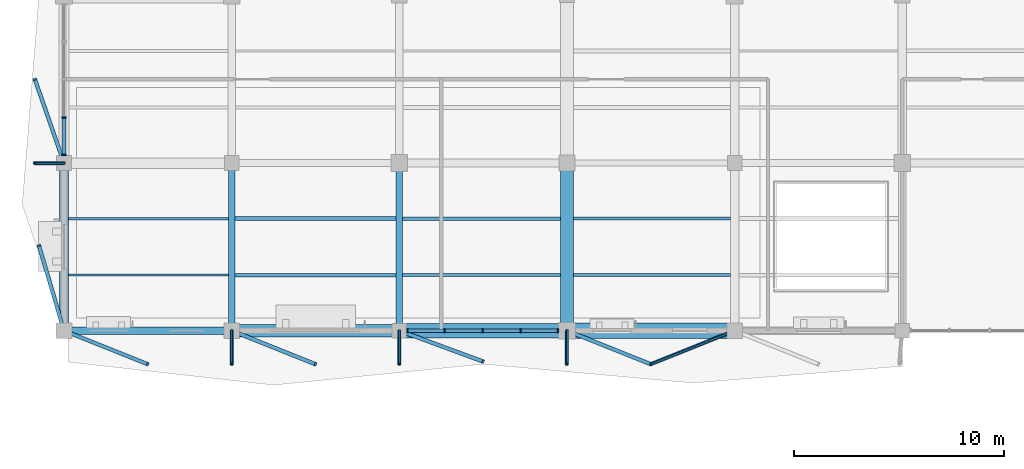
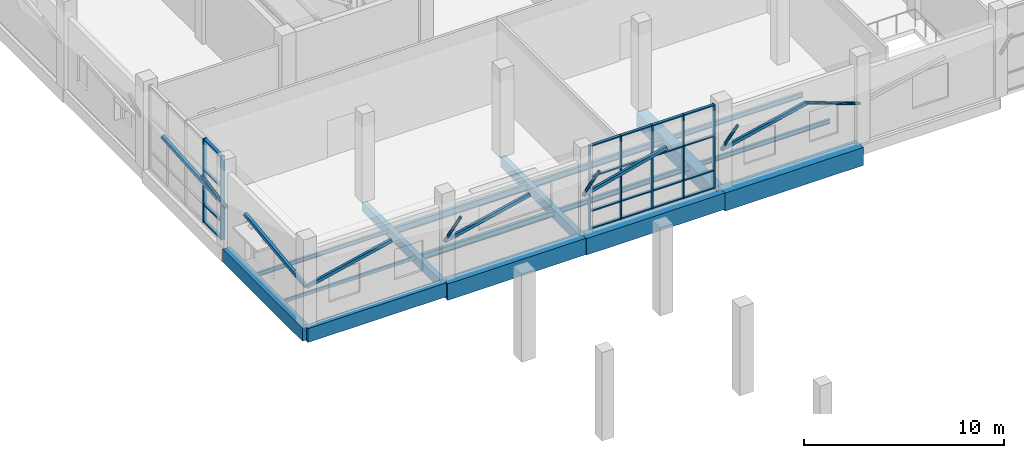
# One storey, part 32 of 122: 38 members, 16 beams, 2 elements without a shape of their own.
"""IFC4 building model written with IfcOpenShell, lengths in metres."""

from ifc_helpers import new_model, si_unit, direction, frame, origin, origin_2d, place, context, subcontext, project, spatial, rectangle, hollow_rectangle, hollow_circle, i_section, extrude, material, material_profile, profile_set, type_object, element, aggregate, save


model = new_model("IFC4")

# Units and contexts
model_context = context("Model", 3, precision=1e-05, world=origin(), true_north=direction((0.0, 1.0)))
body_context = subcontext(model_context, "Body", "Model", "MODEL_VIEW")
ifc_project = project(units=[si_unit("LENGTHUNIT", "METRE"), si_unit("AREAUNIT", "SQUARE_METRE"), si_unit("VOLUMEUNIT", "CUBIC_METRE"), si_unit("PLANEANGLEUNIT", "RADIAN"), si_unit("MASSUNIT", "GRAM", prefix="KILO")], contexts=[model_context])

# Site, building, storey
site_placement = place(None, origin())
site = spatial("IfcSite", under=ifc_project, at=site_placement, CompositionType="ELEMENT")
building_placement = place(site_placement, origin())
building = spatial("IfcBuilding", under=site, at=building_placement, Name="Tenunan Teduh Sports Hall", CompositionType="ELEMENT")
storey_placement = place(building_placement, frame((0.0, 0.0, 5.39990234375)))
storey = spatial("IfcBuildingStorey", under=building, at=storey_placement, Name="L01", CompositionType="ELEMENT", Elevation=5.39990234375)

# Beams
ifc_material_1 = material(Name="Concrete C40/50", Category="concrete")
ifc_material_profile_1 = material_profile(ifc_material_1, rectangle(XDim=0.300048828125, YDim=0.550048828125, at=origin_2d()), Name="RCB 300x550")
ifc_profile_set_1 = profile_set([ifc_material_profile_1], Name="Concrete C40/50")
beam_type_1 = type_object("IfcBeamType", Name="BM-RC-300x550", PredefinedType="BEAM", material=ifc_profile_set_1)
beam_1_placement = place(storey_placement, frame((14.0, 78.0, -0.534912109375), z_axis=(0.0, 1.0, 0.0), x_axis=(-1.0, 0.0, 0.0)))
element("IfcBeam", 1, at=beam_1_placement, inside=storey, type_object=beam_type_1, Name="BM-B-02-L01-1193", PredefinedType="BEAM", context=body_context, shape_type="SweptSolid", body=[
    extrude(rectangle(XDim=0.300048828125, YDim=0.550048828125, at=origin_2d()), origin(), (0.0, 0.0, 1.0), 8.0),
])
ifc_material_2 = material(Name="Concrete C40/50", Category="concrete")
ifc_material_profile_2 = material_profile(ifc_material_2, rectangle(XDim=0.300048828125, YDim=0.60009765625, at=origin_2d()), Name="RCB 300x600")
ifc_profile_set_2 = profile_set([ifc_material_profile_2], Name="Concrete C40/50")
beam_type_2 = type_object("IfcBeamType", Name="BM-RC-300x600", PredefinedType="BEAM", material=ifc_profile_set_2)
beam_2_placement = place(storey_placement, frame((22.0, 78.0, -0.559814453125), z_axis=(0.0, 1.0, 0.0), x_axis=(-1.0, 0.0, 0.0)))
element("IfcBeam", 2, at=beam_2_placement, inside=storey, type_object=beam_type_2, Name="BM-B-03-L01-1198", PredefinedType="BEAM", context=body_context, shape_type="SweptSolid", body=[
    extrude(rectangle(XDim=0.300048828125, YDim=0.60009765625, at=origin_2d()), origin(), (0.0, 0.0, 1.0), 8.0),
])
ifc_material_3 = material(Name="Concrete C40/50", Category="concrete")
ifc_material_profile_3 = material_profile(ifc_material_3, rectangle(XDim=0.449951171875, YDim=0.800048828125, at=origin_2d()), Name="RCB 450x800")
ifc_profile_set_3 = profile_set([ifc_material_profile_3], Name="Concrete C40/50")
beam_type_3 = type_object("IfcBeamType", Name="BM-RC-450x800", PredefinedType="BEAM", material=ifc_profile_set_3)
beam_3_placement = place(storey_placement, frame((6.0, 78.0, -0.659912109375), z_axis=(0.0, 1.0, 0.0), x_axis=(-1.0, 0.0, 0.0)))
element("IfcBeam", 3, at=beam_3_placement, inside=storey, type_object=beam_type_3, Name="BM-B-12-L01-1189", PredefinedType="BEAM", context=body_context, shape_type="SweptSolid", body=[
    extrude(rectangle(XDim=0.449951171875, YDim=0.800048828125, at=origin_2d()), origin(), (0.0, 0.0, 1.0), 8.0),
])
ifc_material_4 = material(Name="Concrete C40/50", Category="concrete")
ifc_material_profile_4 = material_profile(ifc_material_4, rectangle(XDim=0.60009765625, YDim=1.0, at=origin_2d()), Name="RCB 600x1000")
ifc_profile_set_4 = profile_set([ifc_material_profile_4], Name="Concrete C40/50")
beam_type_4 = type_object("IfcBeamType", Name="BM-RC-600x1000", PredefinedType="BEAM", material=ifc_profile_set_4)
beam_4_placement = place(storey_placement, frame((14.0, 78.0, -0.760009765625), z_axis=(1.0, 0.0, 0.0), x_axis=(0.0, 1.0, 0.0)))
element("IfcBeam", 4, at=beam_4_placement, inside=storey, type_object=beam_type_4, Name="BM-B-18-L01-1097", PredefinedType="BEAM", context=body_context, shape_type="SweptSolid", body=[
    extrude(rectangle(XDim=0.60009765625, YDim=1.0, at=origin_2d()), origin(), (0.0, 0.0, 1.0), 8.0),
])
ifc_material_5 = material(Name="Concrete C40/50", Category="concrete")
ifc_material_profile_5 = material_profile(ifc_material_5, rectangle(XDim=0.60009765625, YDim=0.89990234375, at=origin_2d()), Name="RCB 600x900")
ifc_profile_set_5 = profile_set([ifc_material_profile_5], Name="Concrete C40/50")
beam_type_5 = type_object("IfcBeamType", Name="BM-RC-600x900", PredefinedType="BEAM", material=ifc_profile_set_5)
beam_5_placement = place(storey_placement, frame((30.0, 78.0, -0.7099609375), z_axis=(0.0, 1.0, 0.0), x_axis=(-1.0, 0.0, 0.0)))
element("IfcBeam", 5, at=beam_5_placement, inside=storey, type_object=beam_type_5, Name="BM-B-17-L01-1203", PredefinedType="BEAM", context=body_context, shape_type="SweptSolid", body=[
    extrude(rectangle(XDim=0.60009765625, YDim=0.89990234375, at=origin_2d()), origin(), (0.0, 0.0, 1.0), 8.0),
])
ifc_material_6 = material(Name="Concrete C40/50", Category="concrete")
ifc_material_profile_6 = material_profile(ifc_material_6, rectangle(XDim=0.699951171875, YDim=1.0, at=origin_2d()), Name="RCB 700x1000")
ifc_profile_set_6 = profile_set([ifc_material_profile_6], Name="Concrete C40/50")
beam_type_6 = type_object("IfcBeamType", Name="BM-RC-700x1000", PredefinedType="SPANDREL", material=ifc_profile_set_6)
beam_6_placement = place(storey_placement, frame((22.0, 78.0, -0.760009765625), z_axis=(1.0, 0.0, 0.0), x_axis=(0.0, 1.0, 0.0)))
element("IfcBeam", 6, at=beam_6_placement, inside=storey, type_object=beam_type_6, Name="BM-B-19-L01-1098", PredefinedType="SPANDREL", context=body_context, shape_type="SweptSolid", body=[
    extrude(rectangle(XDim=0.699951171875, YDim=1.0, at=origin_2d()), origin(), (0.0, 0.0, 1.0), 8.0),
])
ifc_material_7 = material(Name="Concrete C40/50", Category="concrete")
ifc_material_profile_7 = material_profile(ifc_material_7, rectangle(XDim=0.75, YDim=1.10009765625, at=origin_2d()), Name="RCB 750x1100")
ifc_profile_set_7 = profile_set([ifc_material_profile_7], Name="Concrete C40/50")
beam_type_7 = type_object("IfcBeamType", Name="BM-RC-750x1100", PredefinedType="SPANDREL", material=ifc_profile_set_7)
beam_7_placement = place(storey_placement, frame((30.0, 78.0, -0.809814453125), z_axis=(1.0, 0.0, 0.0), x_axis=(0.0, 1.0, 0.0)))
element("IfcBeam", 7, at=beam_7_placement, inside=storey, type_object=beam_type_7, Name="BM-B-20-L01-1099", PredefinedType="SPANDREL", context=body_context, shape_type="SweptSolid", body=[
    extrude(rectangle(XDim=0.75, YDim=1.10009765625, at=origin_2d()), origin(), (0.0, 0.0, 1.0), 8.0),
])
ifc_material_8 = material(Name="Concrete C40/50", Category="concrete")
ifc_material_profile_8 = material_profile(ifc_material_8, rectangle(XDim=0.35009765625, YDim=0.85009765625, at=origin_2d()), Name="SPB 350x850")
ifc_profile_set_8 = profile_set([ifc_material_profile_8], Name="Concrete C40/50")
beam_type_8 = type_object("IfcBeamType", Name="BM-SP-350x850", PredefinedType="SPANDREL", material=ifc_profile_set_8)
beam_8_placement = place(storey_placement, frame((6.0, 78.0, -0.684814453125), z_axis=(1.0, 0.0, 0.0), x_axis=(0.0, 1.0, 0.0)))
element("IfcBeam", 8, at=beam_8_placement, inside=storey, type_object=beam_type_8, Name="BM-SP-02-L01-1096", PredefinedType="SPANDREL", context=body_context, shape_type="SweptSolid", body=[
    extrude(rectangle(XDim=0.35009765625, YDim=0.85009765625, at=origin_2d()), origin(), (0.0, 0.0, 1.0), 8.0),
])

# Curtain wall, members
ifc_material_9 = material(Name="Anodised aluminium", Category="aluminium")
curtain_wall_type = type_object("IfcCurtainWallType", Name="CW-UNIT-1", PredefinedType="NOTDEFINED", material=ifc_material_9)
curtain_wall_1_placement = place(storey_placement, origin())
curtain_wall_1 = element("IfcCurtainWall", 9, at=curtain_wall_1_placement, inside=storey, type_object=curtain_wall_type, Name="CW-CWM-200-L01-200", PredefinedType="NOTDEFINED")
ifc_material_10 = material(Name="Anodised aluminium", Category="aluminium")
ifc_material_profile_9 = material_profile(ifc_material_10, rectangle(XDim=0.070068359375, YDim=0.199951171875, at=origin_2d()), Name="CWM 70x200")
ifc_profile_set_9 = profile_set([ifc_material_profile_9], Name="Anodised aluminium")
member_type_1 = type_object("IfcMemberType", Name="CWM-200", PredefinedType="MULLION", material=ifc_profile_set_9)
member_1_placement = place(storey_placement, frame((22.385009765625, 78.0, 0.0), z_axis=(0.0, 0.0, 1.0), x_axis=(1.0, 0.0, 0.0)))
member_1 = element("IfcMember", 10, at=member_1_placement, type_object=member_type_1, Name="CW-01 mullion 1", PredefinedType="MULLION", context=body_context, shape_type="SweptSolid", body=[
    extrude(rectangle(XDim=0.070068359375, YDim=0.199951171875, at=origin_2d()), origin(), (0.0, 0.0, 1.0), 5.1201171875),
])
member_2_placement = place(storey_placement, frame((24.16259765625, 78.0, 0.0), z_axis=(0.0, 0.0, 1.0), x_axis=(1.0, 0.0, 0.0)))
member_2 = element("IfcMember", 11, at=member_2_placement, type_object=member_type_1, Name="CW-01 mullion 2", PredefinedType="MULLION", context=body_context, shape_type="SweptSolid", body=[
    extrude(rectangle(XDim=0.070068359375, YDim=0.199951171875, at=origin_2d()), origin(), (0.0, 0.0, 1.0), 5.1201171875),
])
member_3_placement = place(storey_placement, frame((25.97509765625, 78.0, 0.0), z_axis=(0.0, 0.0, 1.0), x_axis=(1.0, 0.0, 0.0)))
member_3 = element("IfcMember", 12, at=member_3_placement, type_object=member_type_1, Name="CW-01 mullion 3", PredefinedType="MULLION", context=body_context, shape_type="SweptSolid", body=[
    extrude(rectangle(XDim=0.070068359375, YDim=0.199951171875, at=origin_2d()), origin(), (0.0, 0.0, 1.0), 5.1201171875),
])
member_4_placement = place(storey_placement, frame((27.78759765625, 78.0, 0.0), z_axis=(0.0, 0.0, 1.0), x_axis=(1.0, 0.0, 0.0)))
member_4 = element("IfcMember", 13, at=member_4_placement, type_object=member_type_1, Name="CW-01 mullion 4", PredefinedType="MULLION", context=body_context, shape_type="SweptSolid", body=[
    extrude(rectangle(XDim=0.070068359375, YDim=0.199951171875, at=origin_2d()), origin(), (0.0, 0.0, 1.0), 5.1201171875),
])
member_5_placement = place(storey_placement, frame((29.56494140625, 78.0, 0.0), z_axis=(0.0, 0.0, 1.0), x_axis=(1.0, 0.0, 0.0)))
member_5 = element("IfcMember", 14, at=member_5_placement, type_object=member_type_1, Name="CW-01 mullion 5", PredefinedType="MULLION", context=body_context, shape_type="SweptSolid", body=[
    extrude(rectangle(XDim=0.070068359375, YDim=0.199951171875, at=origin_2d()), origin(), (0.0, 0.0, 1.0), 5.1201171875),
])

curtain_wall_2_placement = place(storey_placement, origin())
curtain_wall_2 = element("IfcCurtainWall", 15, at=curtain_wall_2_placement, inside=storey, type_object=curtain_wall_type, Name="CW-CWM-220-L01-209", PredefinedType="NOTDEFINED")
ifc_material_11 = material(Name="Anodised aluminium", Category="aluminium")
ifc_material_profile_10 = material_profile(ifc_material_11, rectangle(XDim=0.074951171875, YDim=0.219970703125, at=origin_2d()), Name="CWM 75x220")
ifc_profile_set_10 = profile_set([ifc_material_profile_10], Name="Anodised aluminium")
member_type_2 = type_object("IfcMemberType", Name="CWM-220", PredefinedType="MULLION", material=ifc_profile_set_10)
member_6_placement = place(storey_placement, frame((6.0, 86.387451171875, 0.0), z_axis=(0.0, 0.0, 1.0), x_axis=(0.0, 1.0, 0.0)))
member_6 = element("IfcMember", 16, at=member_6_placement, type_object=member_type_2, Name="CW-01 mullion 1", PredefinedType="MULLION", context=body_context, shape_type="SweptSolid", body=[
    extrude(rectangle(XDim=0.074951171875, YDim=0.219970703125, at=origin_2d()), origin(), (0.0, 0.0, 1.0), 5.1201171875),
])
member_7_placement = place(storey_placement, frame((6.0, 88.16259765625, 0.0), z_axis=(0.0, 0.0, 1.0), x_axis=(0.0, 1.0, 0.0)))
member_7 = element("IfcMember", 17, at=member_7_placement, type_object=member_type_2, Name="CW-01 mullion 2", PredefinedType="MULLION", context=body_context, shape_type="SweptSolid", body=[
    extrude(rectangle(XDim=0.074951171875, YDim=0.219970703125, at=origin_2d()), origin(), (0.0, 0.0, 1.0), 5.1201171875),
])
ifc_material_12 = material(Name="Anodised aluminium", Category="aluminium")
ifc_material_profile_11 = material_profile(ifc_material_12, rectangle(XDim=0.074951171875, YDim=0.179931640625, at=origin_2d()), Name="CWT 75x180")
ifc_profile_set_11 = profile_set([ifc_material_profile_11], Name="Anodised aluminium")
member_type_3 = type_object("IfcMemberType", Name="CWT-180", PredefinedType="USERDEFINED", material=ifc_profile_set_11)
member_8_placement = place(storey_placement, frame((6.0, 86.425048828125, 0.03759765625), z_axis=(0.0, 1.0, 0.0), x_axis=(0.0, 0.0, 1.0)))
member_8 = element("IfcMember", 18, at=member_8_placement, type_object=member_type_3, Name="CW-01 transom 1.1", ObjectType="TRANSOM", PredefinedType="USERDEFINED", context=body_context, shape_type="SweptSolid", body=[
    extrude(rectangle(XDim=0.074951171875, YDim=0.179931640625, at=origin_2d()), origin(), (0.0, 0.0, 1.0), 1.699951171875),
])
member_9_placement = place(storey_placement, frame((6.0, 86.425048828125, 1.10009765625), z_axis=(0.0, 1.0, 0.0), x_axis=(0.0, 0.0, 1.0)))
member_9 = element("IfcMember", 19, at=member_9_placement, type_object=member_type_3, Name="CW-01 transom 1.2", ObjectType="TRANSOM", PredefinedType="USERDEFINED", context=body_context, shape_type="SweptSolid", body=[
    extrude(rectangle(XDim=0.074951171875, YDim=0.179931640625, at=origin_2d()), origin(), (0.0, 0.0, 1.0), 1.699951171875),
])
member_10_placement = place(storey_placement, frame((6.0, 86.425048828125, 3.2001953125), z_axis=(0.0, 1.0, 0.0), x_axis=(0.0, 0.0, 1.0)))
member_10 = element("IfcMember", 20, at=member_10_placement, type_object=member_type_3, Name="CW-01 transom 1.3", ObjectType="TRANSOM", PredefinedType="USERDEFINED", context=body_context, shape_type="SweptSolid", body=[
    extrude(rectangle(XDim=0.074951171875, YDim=0.179931640625, at=origin_2d()), origin(), (0.0, 0.0, 1.0), 1.699951171875),
])
member_11_placement = place(storey_placement, frame((6.0, 86.425048828125, 5.08251953125), z_axis=(0.0, 1.0, 0.0), x_axis=(0.0, 0.0, 1.0)))
member_11 = element("IfcMember", 21, at=member_11_placement, type_object=member_type_3, Name="CW-01 transom 1.4", ObjectType="TRANSOM", PredefinedType="USERDEFINED", context=body_context, shape_type="SweptSolid", body=[
    extrude(rectangle(XDim=0.074951171875, YDim=0.179931640625, at=origin_2d()), origin(), (0.0, 0.0, 1.0), 1.699951171875),
])
aggregate(curtain_wall_2, [member_6, member_7, member_8, member_9, member_10, member_11])

# Member
ifc_material_13 = material(Name="Anodised aluminium", Category="aluminium")
ifc_material_profile_12 = material_profile(ifc_material_13, rectangle(XDim=0.070068359375, YDim=0.159912109375, at=origin_2d()), Name="CWT 70x160")
ifc_profile_set_12 = profile_set([ifc_material_profile_12], Name="Anodised aluminium")
member_type_4 = type_object("IfcMemberType", Name="CWT-200", PredefinedType="USERDEFINED", material=ifc_profile_set_12)
member_12_placement = place(storey_placement, frame((22.419921875, 78.0, 0.03515625), z_axis=(1.0, 0.0, 0.0), x_axis=(0.0, 0.0, 1.0)))
member_12 = element("IfcMember", 22, at=member_12_placement, type_object=member_type_4, Name="CW-01 transom 1.1", ObjectType="TRANSOM", PredefinedType="USERDEFINED", context=body_context, shape_type="SweptSolid", body=[
    extrude(rectangle(XDim=0.070068359375, YDim=0.159912109375, at=origin_2d()), origin(), (0.0, 0.0, 1.0), 1.70751953125),
])

member_13_placement = place(storey_placement, frame((22.419921875, 78.0, 1.10009765625), z_axis=(1.0, 0.0, 0.0), x_axis=(0.0, 0.0, 1.0)))
member_13 = element("IfcMember", 23, at=member_13_placement, type_object=member_type_4, Name="CW-01 transom 1.2", ObjectType="TRANSOM", PredefinedType="USERDEFINED", context=body_context, shape_type="SweptSolid", body=[
    extrude(rectangle(XDim=0.070068359375, YDim=0.159912109375, at=origin_2d()), origin(), (0.0, 0.0, 1.0), 1.70751953125),
])

member_14_placement = place(storey_placement, frame((22.419921875, 78.0, 3.2001953125), z_axis=(1.0, 0.0, 0.0), x_axis=(0.0, 0.0, 1.0)))
member_14 = element("IfcMember", 24, at=member_14_placement, type_object=member_type_4, Name="CW-01 transom 1.3", ObjectType="TRANSOM", PredefinedType="USERDEFINED", context=body_context, shape_type="SweptSolid", body=[
    extrude(rectangle(XDim=0.070068359375, YDim=0.159912109375, at=origin_2d()), origin(), (0.0, 0.0, 1.0), 1.70751953125),
])

member_15_placement = place(storey_placement, frame((22.419921875, 78.0, 5.085205078125), z_axis=(1.0, 0.0, 0.0), x_axis=(0.0, 0.0, 1.0)))
member_15 = element("IfcMember", 25, at=member_15_placement, type_object=member_type_4, Name="CW-01 transom 1.4", ObjectType="TRANSOM", PredefinedType="USERDEFINED", context=body_context, shape_type="SweptSolid", body=[
    extrude(rectangle(XDim=0.070068359375, YDim=0.159912109375, at=origin_2d()), origin(), (0.0, 0.0, 1.0), 1.70751953125),
])

member_16_placement = place(storey_placement, frame((24.197509765625, 78.0, 0.03515625), z_axis=(1.0, 0.0, 0.0), x_axis=(0.0, 0.0, 1.0)))
member_16 = element("IfcMember", 26, at=member_16_placement, type_object=member_type_4, Name="CW-01 transom 2.1", ObjectType="TRANSOM", PredefinedType="USERDEFINED", context=body_context, shape_type="SweptSolid", body=[
    extrude(rectangle(XDim=0.070068359375, YDim=0.159912109375, at=origin_2d()), origin(), (0.0, 0.0, 1.0), 1.742431640625),
])

member_17_placement = place(storey_placement, frame((24.197509765625, 78.0, 1.10009765625), z_axis=(1.0, 0.0, 0.0), x_axis=(0.0, 0.0, 1.0)))
member_17 = element("IfcMember", 27, at=member_17_placement, type_object=member_type_4, Name="CW-01 transom 2.2", ObjectType="TRANSOM", PredefinedType="USERDEFINED", context=body_context, shape_type="SweptSolid", body=[
    extrude(rectangle(XDim=0.070068359375, YDim=0.159912109375, at=origin_2d()), origin(), (0.0, 0.0, 1.0), 1.742431640625),
])

member_18_placement = place(storey_placement, frame((24.197509765625, 78.0, 3.2001953125), z_axis=(1.0, 0.0, 0.0), x_axis=(0.0, 0.0, 1.0)))
member_18 = element("IfcMember", 28, at=member_18_placement, type_object=member_type_4, Name="CW-01 transom 2.3", ObjectType="TRANSOM", PredefinedType="USERDEFINED", context=body_context, shape_type="SweptSolid", body=[
    extrude(rectangle(XDim=0.070068359375, YDim=0.159912109375, at=origin_2d()), origin(), (0.0, 0.0, 1.0), 1.742431640625),
])

member_19_placement = place(storey_placement, frame((24.197509765625, 78.0, 5.085205078125), z_axis=(1.0, 0.0, 0.0), x_axis=(0.0, 0.0, 1.0)))
member_19 = element("IfcMember", 29, at=member_19_placement, type_object=member_type_4, Name="CW-01 transom 2.4", ObjectType="TRANSOM", PredefinedType="USERDEFINED", context=body_context, shape_type="SweptSolid", body=[
    extrude(rectangle(XDim=0.070068359375, YDim=0.159912109375, at=origin_2d()), origin(), (0.0, 0.0, 1.0), 1.742431640625),
])

member_20_placement = place(storey_placement, frame((26.010009765625, 78.0, 0.03515625), z_axis=(1.0, 0.0, 0.0), x_axis=(0.0, 0.0, 1.0)))
member_20 = element("IfcMember", 30, at=member_20_placement, type_object=member_type_4, Name="CW-01 transom 3.1", ObjectType="TRANSOM", PredefinedType="USERDEFINED", context=body_context, shape_type="SweptSolid", body=[
    extrude(rectangle(XDim=0.070068359375, YDim=0.159912109375, at=origin_2d()), origin(), (0.0, 0.0, 1.0), 1.742431640625),
])

member_21_placement = place(storey_placement, frame((26.010009765625, 78.0, 1.10009765625), z_axis=(1.0, 0.0, 0.0), x_axis=(0.0, 0.0, 1.0)))
member_21 = element("IfcMember", 31, at=member_21_placement, type_object=member_type_4, Name="CW-01 transom 3.2", ObjectType="TRANSOM", PredefinedType="USERDEFINED", context=body_context, shape_type="SweptSolid", body=[
    extrude(rectangle(XDim=0.070068359375, YDim=0.159912109375, at=origin_2d()), origin(), (0.0, 0.0, 1.0), 1.742431640625),
])

member_22_placement = place(storey_placement, frame((26.010009765625, 78.0, 3.2001953125), z_axis=(1.0, 0.0, 0.0), x_axis=(0.0, 0.0, 1.0)))
member_22 = element("IfcMember", 32, at=member_22_placement, type_object=member_type_4, Name="CW-01 transom 3.3", ObjectType="TRANSOM", PredefinedType="USERDEFINED", context=body_context, shape_type="SweptSolid", body=[
    extrude(rectangle(XDim=0.070068359375, YDim=0.159912109375, at=origin_2d()), origin(), (0.0, 0.0, 1.0), 1.742431640625),
])

member_23_placement = place(storey_placement, frame((26.010009765625, 78.0, 5.085205078125), z_axis=(1.0, 0.0, 0.0), x_axis=(0.0, 0.0, 1.0)))
member_23 = element("IfcMember", 33, at=member_23_placement, type_object=member_type_4, Name="CW-01 transom 3.4", ObjectType="TRANSOM", PredefinedType="USERDEFINED", context=body_context, shape_type="SweptSolid", body=[
    extrude(rectangle(XDim=0.070068359375, YDim=0.159912109375, at=origin_2d()), origin(), (0.0, 0.0, 1.0), 1.742431640625),
])

member_24_placement = place(storey_placement, frame((27.822509765625, 78.0, 0.03515625), z_axis=(1.0, 0.0, 0.0), x_axis=(0.0, 0.0, 1.0)))
member_24 = element("IfcMember", 34, at=member_24_placement, type_object=member_type_4, Name="CW-01 transom 4.1", ObjectType="TRANSOM", PredefinedType="USERDEFINED", context=body_context, shape_type="SweptSolid", body=[
    extrude(rectangle(XDim=0.070068359375, YDim=0.159912109375, at=origin_2d()), origin(), (0.0, 0.0, 1.0), 1.70751953125),
])

member_25_placement = place(storey_placement, frame((27.822509765625, 78.0, 1.10009765625), z_axis=(1.0, 0.0, 0.0), x_axis=(0.0, 0.0, 1.0)))
member_25 = element("IfcMember", 35, at=member_25_placement, type_object=member_type_4, Name="CW-01 transom 4.2", ObjectType="TRANSOM", PredefinedType="USERDEFINED", context=body_context, shape_type="SweptSolid", body=[
    extrude(rectangle(XDim=0.070068359375, YDim=0.159912109375, at=origin_2d()), origin(), (0.0, 0.0, 1.0), 1.70751953125),
])

member_26_placement = place(storey_placement, frame((27.822509765625, 78.0, 3.2001953125), z_axis=(1.0, 0.0, 0.0), x_axis=(0.0, 0.0, 1.0)))
member_26 = element("IfcMember", 36, at=member_26_placement, type_object=member_type_4, Name="CW-01 transom 4.3", ObjectType="TRANSOM", PredefinedType="USERDEFINED", context=body_context, shape_type="SweptSolid", body=[
    extrude(rectangle(XDim=0.070068359375, YDim=0.159912109375, at=origin_2d()), origin(), (0.0, 0.0, 1.0), 1.70751953125),
])

member_27_placement = place(storey_placement, frame((27.822509765625, 78.0, 5.085205078125), z_axis=(1.0, 0.0, 0.0), x_axis=(0.0, 0.0, 1.0)))
member_27 = element("IfcMember", 37, at=member_27_placement, type_object=member_type_4, Name="CW-01 transom 4.4", ObjectType="TRANSOM", PredefinedType="USERDEFINED", context=body_context, shape_type="SweptSolid", body=[
    extrude(rectangle(XDim=0.070068359375, YDim=0.159912109375, at=origin_2d()), origin(), (0.0, 0.0, 1.0), 1.70751953125),
])

aggregate(curtain_wall_1, [member_1, member_2, member_3, member_4, member_5, member_12, member_13, member_14, member_15, member_16, member_17, member_18, member_19, member_20, member_21, member_22, member_23, member_24, member_25, member_26, member_27])

# Beams
ifc_material_14 = material(Name="Steel S355", Category="steel")
ifc_material_profile_13 = material_profile(ifc_material_14, i_section(OverallWidth=0.1201171875, OverallDepth=0.239990234375, WebThickness=0.006103515625, FlangeThickness=0.009765625, FilletRadius=0.014892578125, at=origin_2d()), Name="IPE 240")
ifc_profile_set_13 = profile_set([ifc_material_profile_13], Name="Steel S355")
beam_type_9 = type_object("IfcBeamType", Name="JST-IPE240", PredefinedType="JOIST", material=ifc_profile_set_13)
beam_9_placement = place(storey_placement, frame((6.22509765625, 83.35009765625, -0.3798828125), z_axis=(1.0, 0.0, 0.0), x_axis=(0.0, 1.0, 0.0)))
element("IfcBeam", 38, at=beam_9_placement, inside=storey, type_object=beam_type_9, Name="BM-J-02-L01-1309", PredefinedType="JOIST", context=body_context, shape_type="SweptSolid", body=[
    extrude(i_section(OverallWidth=0.1201171875, OverallDepth=0.239990234375, WebThickness=0.006103515625, FlangeThickness=0.009765625, FilletRadius=0.014892578125, at=origin_2d()), origin(), (0.0, 0.0, 1.0), 7.625),
])
ifc_material_15 = material(Name="Steel S355", Category="steel")
ifc_material_profile_14 = material_profile(ifc_material_15, i_section(OverallWidth=0.135009765625, OverallDepth=0.27001953125, WebThickness=0.006591796875, FlangeThickness=0.01025390625, FilletRadius=0.014892578125, at=origin_2d()), Name="IPE 270")
ifc_profile_set_14 = profile_set([ifc_material_profile_14], Name="Steel S355")
beam_type_10 = type_object("IfcBeamType", Name="JST-IPE270", PredefinedType="JOIST", material=ifc_profile_set_14)
beam_10_placement = place(storey_placement, frame((30.300048828125, 80.64990234375, -0.39501953125), z_axis=(1.0, 0.0, 0.0), x_axis=(0.0, 1.0, 0.0)))
element("IfcBeam", 39, at=beam_10_placement, inside=storey, type_object=beam_type_10, Name="BM-J-03-L01-1332", PredefinedType="JOIST", context=body_context, shape_type="SweptSolid", body=[
    extrude(i_section(OverallWidth=0.135009765625, OverallDepth=0.27001953125, WebThickness=0.006591796875, FlangeThickness=0.01025390625, FilletRadius=0.014892578125, at=origin_2d()), origin(), (0.0, 0.0, 1.0), 7.5),
])
ifc_material_16 = material(Name="Steel S355", Category="steel")
ifc_material_profile_15 = material_profile(ifc_material_16, i_section(OverallWidth=0.14990234375, OverallDepth=0.300048828125, WebThickness=0.007080078125, FlangeThickness=0.0107421875, FilletRadius=0.014892578125, at=origin_2d()), Name="IPE 300")
ifc_profile_set_15 = profile_set([ifc_material_profile_15], Name="Steel S355")
beam_type_11 = type_object("IfcBeamType", Name="JST-IPE300", PredefinedType="JOIST", material=ifc_profile_set_15)
beam_11_placement = place(storey_placement, frame((22.14990234375, 80.64990234375, -0.409912109375), z_axis=(1.0, 0.0, 0.0), x_axis=(0.0, 1.0, 0.0)))
element("IfcBeam", 40, at=beam_11_placement, inside=storey, type_object=beam_type_11, Name="BM-J-04-L01-1322", PredefinedType="JOIST", context=body_context, shape_type="SweptSolid", body=[
    extrude(i_section(OverallWidth=0.14990234375, OverallDepth=0.300048828125, WebThickness=0.007080078125, FlangeThickness=0.0107421875, FilletRadius=0.014892578125, at=origin_2d()), origin(), (0.0, 0.0, 1.0), 7.550048828125),
])
beam_12_placement = place(storey_placement, frame((30.300048828125, 83.35009765625, -0.409912109375), z_axis=(1.0, 0.0, 0.0), x_axis=(0.0, 1.0, 0.0)))
element("IfcBeam", 41, at=beam_12_placement, inside=storey, type_object=beam_type_11, Name="BM-J-04-L01-1333", PredefinedType="JOIST", context=body_context, shape_type="SweptSolid", body=[
    extrude(i_section(OverallWidth=0.14990234375, OverallDepth=0.300048828125, WebThickness=0.007080078125, FlangeThickness=0.0107421875, FilletRadius=0.014892578125, at=origin_2d()), origin(), (0.0, 0.0, 1.0), 7.5),
])
ifc_material_17 = material(Name="Steel S355", Category="steel")
ifc_material_profile_16 = material_profile(ifc_material_17, i_section(OverallWidth=0.169921875, OverallDepth=0.360107421875, WebThickness=0.008056640625, FlangeThickness=0.0126953125, FilletRadius=0.01806640625, at=origin_2d()), Name="IPE 360")
ifc_profile_set_16 = profile_set([ifc_material_profile_16], Name="Steel S355")
beam_type_12 = type_object("IfcBeamType", Name="JST-IPE360", PredefinedType="JOIST", material=ifc_profile_set_16)
beam_13_placement = place(storey_placement, frame((22.14990234375, 83.35009765625, -0.43994140625), z_axis=(1.0, 0.0, 0.0), x_axis=(0.0, 1.0, 0.0)))
element("IfcBeam", 42, at=beam_13_placement, inside=storey, type_object=beam_type_12, Name="BM-J-05-L01-1323", PredefinedType="JOIST", context=body_context, shape_type="SweptSolid", body=[
    extrude(i_section(OverallWidth=0.169921875, OverallDepth=0.360107421875, WebThickness=0.008056640625, FlangeThickness=0.0126953125, FilletRadius=0.01806640625, at=origin_2d()), origin(), (0.0, 0.0, 1.0), 7.550048828125),
])

# Members
ifc_material_18 = material(Name="Steel S355", Category="steel")
ifc_material_profile_17 = material_profile(ifc_material_18, hollow_circle(Radius=0.084228515625, WallThickness=0.008056640625, at=origin_2d()), Name="CHS 168.3x8.0")
ifc_profile_set_17 = profile_set([ifc_material_profile_17], Name="Steel S355")
member_type_5 = type_object("IfcMemberType", Name="MEM-BR-CHS168", PredefinedType="BRACE", material=ifc_profile_set_17)
for number, where, z_axis, x_axis, name in (
    (43, (14.0, 78.0, 2.2001953125), (0.0, -0.551550138516, 0.834141741374), (1.0, 0.0, 0.0), "MEM-GD-04-L01-1189"),
    (44, (22.0, 78.0, 2.2001953125), (0.0, -0.551550138516, 0.834141741374), (1.0, 0.0, 0.0), "MEM-GD-04-L01-1191"),
    (45, (30.0, 78.0, 2.2001953125), (0.0, -0.551550138516, 0.834141741374), (1.0, 0.0, 0.0), "MEM-GD-04-L01-1193"),
):
    element("IfcMember", number, at=place(storey_placement, frame(where, z_axis=z_axis, x_axis=x_axis)), inside=storey, type_object=member_type_5, Name=name, PredefinedType="BRACE", context=body_context, shape_type="SweptSolid", body=[
        extrude(hollow_circle(Radius=0.084228515625, WallThickness=0.008056640625, at=origin_2d()), origin(), (0.0, 0.0, 1.0), 2.901123046875),
    ])
member_28_placement = place(storey_placement, frame((38.0, 78.0, 2.2001953125), z_axis=(-0.809505416952, -0.323821930097, 0.489734966603), x_axis=(0.37141021739, -0.928468874232, 0.0)))
element("IfcMember", 46, at=member_28_placement, inside=storey, type_object=member_type_5, Name="MEM-GD-04-L01-1195", PredefinedType="BRACE", context=body_context, shape_type="SweptSolid", body=[
    extrude(hollow_circle(Radius=0.084228515625, WallThickness=0.008056640625, at=origin_2d()), origin(), (0.0, 0.0, 1.0), 4.94140625),
])
member_29_placement = place(storey_placement, frame((6.0, 86.0, 2.2001953125), z_axis=(-0.50074019483, 0.0, 0.865597630127), x_axis=(0.0, -1.0, 0.0)))
element("IfcMember", 47, at=member_29_placement, inside=storey, type_object=member_type_5, Name="MEM-GD-04-L01-1199", PredefinedType="BRACE", context=body_context, shape_type="SweptSolid", body=[
    extrude(hollow_circle(Radius=0.084228515625, WallThickness=0.008056640625, at=origin_2d()), origin(), (0.0, 0.0, 1.0), 2.795654296875),
])
ifc_material_19 = material(Name="Steel S355", Category="steel")
ifc_material_profile_18 = material_profile(ifc_material_19, hollow_rectangle(XDim=0.179931640625, YDim=0.179931640625, WallThickness=0.010009765625, at=origin_2d()), Name="SHS 180x180x10.0")
ifc_profile_set_18 = profile_set([ifc_material_profile_18], Name="Steel S355")
member_type_6 = type_object("IfcMemberType", Name="MEM-ST-SHS180", PredefinedType="STRUT", material=ifc_profile_set_18)
for number, where, z_axis, x_axis, name in (
    (48, (6.0, 78.0, 2.2001953125), (0.809505416952, -0.323821930097, 0.489734966603), (0.37141021739, 0.928468874232, 0.0), "MEM-VS-03-L01-1188"),
    (49, (14.0, 78.0, 2.2001953125), (0.809505416952, -0.323821930097, 0.489734966603), (0.37141021739, 0.928468874232, 0.0), "MEM-VS-03-L01-1190"),
):
    element("IfcMember", number, at=place(storey_placement, frame(where, z_axis=z_axis, x_axis=x_axis)), inside=storey, type_object=member_type_6, Name=name, PredefinedType="STRUT", context=body_context, shape_type="SweptSolid", body=[
        extrude(hollow_rectangle(XDim=0.179931640625, YDim=0.179931640625, WallThickness=0.010009765625, at=origin_2d()), origin(), (0.0, 0.0, 1.0), 4.94140625),
    ])
member_30_placement = place(storey_placement, frame((22.0, 78.0, 2.2001953125), z_axis=(0.815731719857, -0.300338494557, 0.494346588849), x_axis=(0.345508599039, 0.938415583838, 0.0)))
element("IfcMember", 50, at=member_30_placement, inside=storey, type_object=member_type_6, Name="MEM-VS-03-L01-1192", PredefinedType="STRUT", context=body_context, shape_type="SweptSolid", body=[
    extrude(hollow_rectangle(XDim=0.179931640625, YDim=0.179931640625, WallThickness=0.010009765625, at=origin_2d()), origin(), (0.0, 0.0, 1.0), 4.895263671875),
])
member_31_placement = place(storey_placement, frame((30.0, 78.0, 2.2001953125), z_axis=(0.809505416952, -0.323821930097, 0.489734966603), x_axis=(0.37141021739, 0.928468874232, 0.0)))
element("IfcMember", 51, at=member_31_placement, inside=storey, type_object=member_type_6, Name="MEM-VS-03-L01-1194", PredefinedType="STRUT", context=body_context, shape_type="SweptSolid", body=[
    extrude(hollow_rectangle(XDim=0.179931640625, YDim=0.179931640625, WallThickness=0.010009765625, at=origin_2d()), origin(), (0.0, 0.0, 1.0), 4.94140625),
])
member_32_placement = place(storey_placement, frame((6.0, 78.0, 2.2001953125), z_axis=(-0.245085859008, 0.83333191016, 0.495470331324), x_axis=(-0.959369166916, -0.282153861519, 0.0)))
element("IfcMember", 52, at=member_32_placement, inside=storey, type_object=member_type_6, Name="MEM-VS-03-L01-1198", PredefinedType="STRUT", context=body_context, shape_type="SweptSolid", body=[
    extrude(hollow_rectangle(XDim=0.179931640625, YDim=0.179931640625, WallThickness=0.010009765625, at=origin_2d()), origin(), (0.0, 0.0, 1.0), 4.884033203125),
])
member_33_placement = place(storey_placement, frame((6.0, 86.0, 2.2001953125), z_axis=(-0.2849622145, 0.820092416677, 0.496230757225), x_axis=(-0.94459943781, -0.328225383067, 0.0)))
element("IfcMember", 53, at=member_33_placement, inside=storey, type_object=member_type_6, Name="MEM-VS-03-L01-1200", PredefinedType="STRUT", context=body_context, shape_type="SweptSolid", body=[
    extrude(hollow_rectangle(XDim=0.179931640625, YDim=0.179931640625, WallThickness=0.010009765625, at=origin_2d()), origin(), (0.0, 0.0, 1.0), 4.876708984375),
])

# Beams
ifc_material_20 = material(Name="Steel S355", Category="steel")
ifc_material_profile_19 = material_profile(ifc_material_20, hollow_rectangle(XDim=0.10009765625, YDim=0.199951171875, WallThickness=0.008056640625, at=origin_2d()), Name="RHS 200x100x8.0")
ifc_profile_set_19 = profile_set([ifc_material_profile_19], Name="Steel S355")
beam_type_13 = type_object("IfcBeamType", Name="RBM-RHS200", PredefinedType="JOIST", material=ifc_profile_set_19)
beam_14_placement = place(storey_placement, frame((6.22509765625, 80.64990234375, -0.35986328125), z_axis=(1.0, 0.0, 0.0), x_axis=(0.0, 1.0, 0.0)))
element("IfcBeam", 54, at=beam_14_placement, inside=storey, type_object=beam_type_13, Name="Perimeter Ring Beam BM-RB-05-L01-1308", PredefinedType="JOIST", context=body_context, shape_type="SweptSolid", body=[
    extrude(hollow_rectangle(XDim=0.10009765625, YDim=0.199951171875, WallThickness=0.008056640625, at=origin_2d()), origin(), (0.0, 0.0, 1.0), 7.625),
])
ifc_material_21 = material(Name="Steel S355", Category="steel")
ifc_material_profile_20 = material_profile(ifc_material_21, i_section(OverallWidth=0.17138671875, OverallDepth=0.35498046875, WebThickness=0.00732421875, FlangeThickness=0.011474609375, FilletRadius=0.01025390625, at=origin_2d()), Name="UKB 356x171x51")
ifc_profile_set_20 = profile_set([ifc_material_profile_20], Name="Steel S355")
beam_type_14 = type_object("IfcBeamType", Name="SBM-UKB356", PredefinedType="BEAM", material=ifc_profile_set_20)
beam_15_placement = place(storey_placement, frame((14.14990234375, 80.64990234375, -0.4375), z_axis=(1.0, 0.0, 0.0), x_axis=(0.0, 1.0, 0.0)))
element("IfcBeam", 55, at=beam_15_placement, inside=storey, type_object=beam_type_14, Name="BM-SB-02-L01-1316", PredefinedType="BEAM", context=body_context, shape_type="SweptSolid", body=[
    extrude(i_section(OverallWidth=0.17138671875, OverallDepth=0.35498046875, WebThickness=0.00732421875, FlangeThickness=0.011474609375, FilletRadius=0.01025390625, at=origin_2d()), origin(), (0.0, 0.0, 1.0), 7.7001953125),
])
ifc_material_22 = material(Name="Steel S355", Category="steel")
ifc_material_profile_21 = material_profile(ifc_material_22, i_section(OverallWidth=0.177978515625, OverallDepth=0.406494140625, WebThickness=0.0078125, FlangeThickness=0.0126953125, FilletRadius=0.01025390625, at=origin_2d()), Name="UKB 406x178x60")
ifc_profile_set_21 = profile_set([ifc_material_profile_21], Name="Steel S355")
beam_type_15 = type_object("IfcBeamType", Name="SBM-UKB406", PredefinedType="BEAM", material=ifc_profile_set_21)
beam_16_placement = place(storey_placement, frame((14.14990234375, 83.35009765625, -0.463134765625), z_axis=(1.0, 0.0, 0.0), x_axis=(0.0, 1.0, 0.0)))
element("IfcBeam", 56, at=beam_16_placement, inside=storey, type_object=beam_type_15, Name="BM-SB-03-L01-1317", PredefinedType="BEAM", context=body_context, shape_type="SweptSolid", body=[
    extrude(i_section(OverallWidth=0.177978515625, OverallDepth=0.406494140625, WebThickness=0.0078125, FlangeThickness=0.0126953125, FilletRadius=0.01025390625, at=origin_2d()), origin(), (0.0, 0.0, 1.0), 7.7001953125),
])

save(model, "model.ifc")
